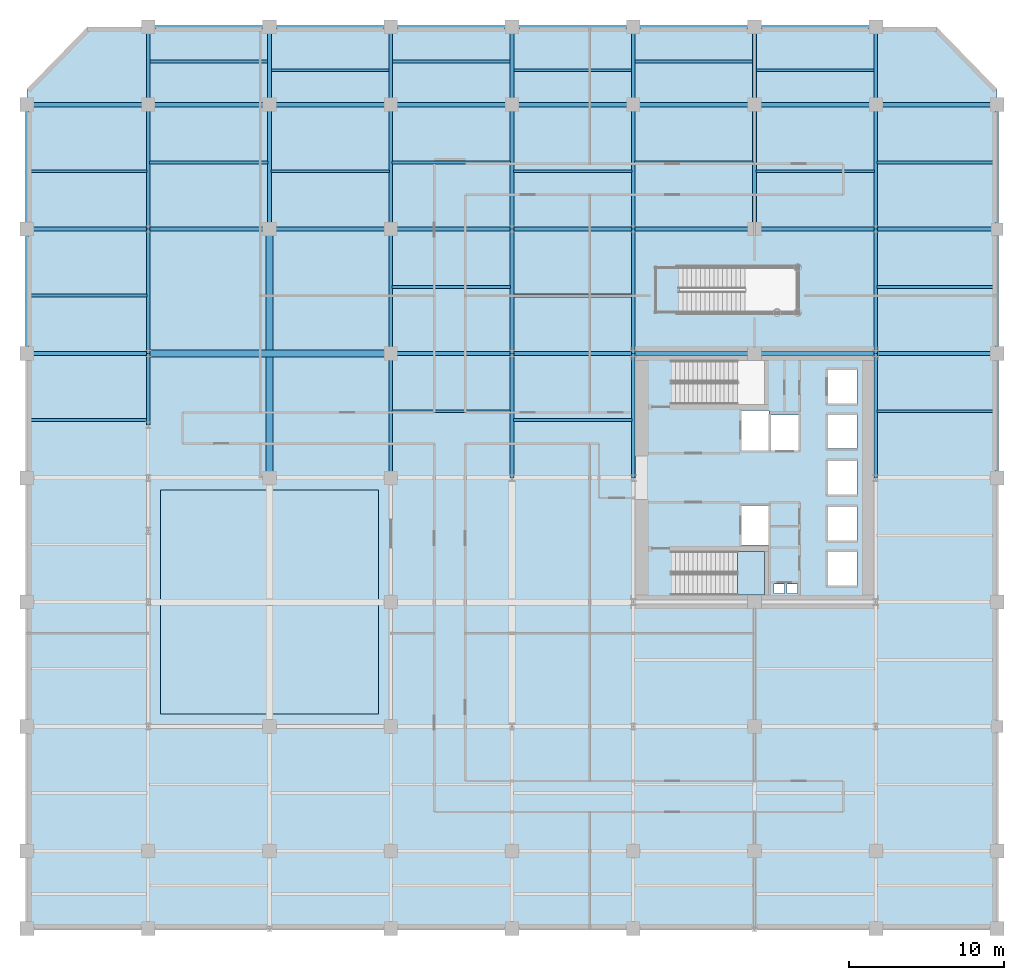
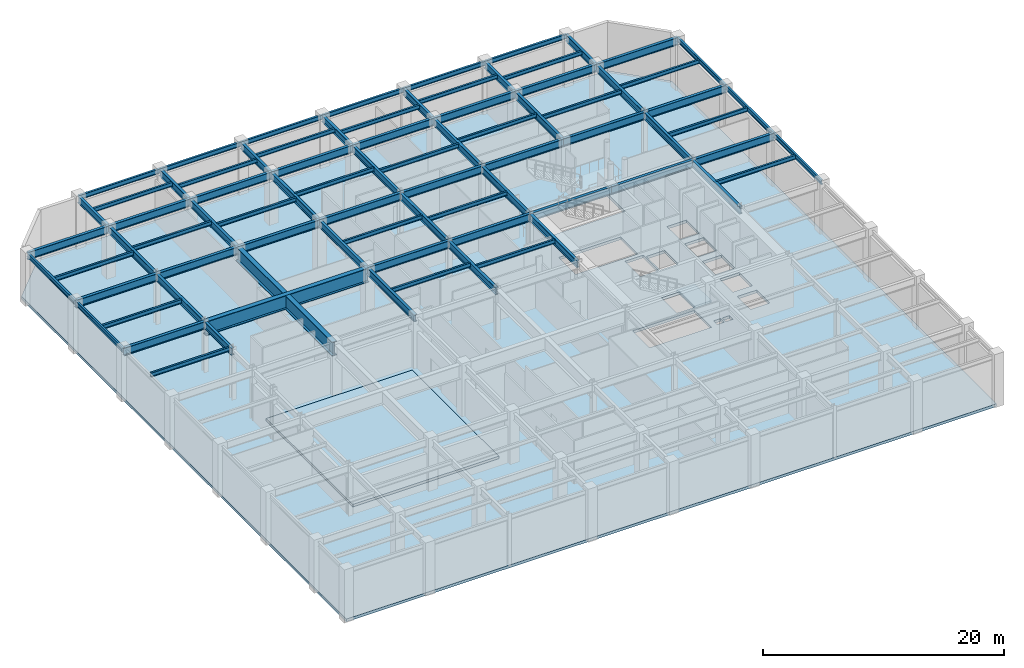
# One storey, part 6 of 11: 81 beams, 3 slabs, 1 element without a shape of its own.
"""IFC4 building model written with IfcOpenShell, lengths in metres."""

import ifcopenshell
import ifcopenshell.guid

model = None  # the IFC model being written
_history = None  # IfcOwnerHistory: only IFC2X3 demands one
_inside = {}  # id of a spatial element -> (the spatial element, [elements in it])
_under = {}  # id of a project, library or spatial element -> (it, [spatial elements below it])
_declared = {}  # id of a project -> (the project, [libraries it declares])
_typed = {}  # id of a type object -> (the type object, [elements of that type])
_made_of = {}  # id of a material, layer set ... -> (it, [elements and type objects made of it])


def new_model(schema):
    """Start an empty IFC model of exactly this schema.

    Asked for "IFC4X3", IfcOpenShell would pick the latest addendum, in which some entities
    have other attributes; the version numbers below select the first issue.
    IFC2X3 requires an IfcOwnerHistory on every rooted entity: one is made here for all.
    """
    global model, _history
    if schema == "IFC4X3":
        model = ifcopenshell.file(schema_version=(4, 3, 0, 0))
    else:
        model = ifcopenshell.file(schema=schema)
    _inside.clear()
    _under.clear()
    _declared.clear()
    _typed.clear()
    _made_of.clear()
    _history = None
    if model.schema == "IFC2X3":
        org = make("IfcOrganization", Name="unknown")
        user = make(
            "IfcPersonAndOrganization",
            ThePerson=make("IfcPerson", FamilyName="unknown"),
            TheOrganization=org,
        )
        app = make(
            "IfcApplication",
            ApplicationDeveloper=org,
            Version="unknown",
            ApplicationFullName="unknown",
            ApplicationIdentifier="unknown",
        )
        _history = make(
            "IfcOwnerHistory",
            OwningUser=user,
            OwningApplication=app,
            ChangeAction="ADDED",
            CreationDate=0,
        )
    return model


def make(cls, **values):
    """One entity of the class cls with the attributes given. An attribute that is None is left unset."""
    return model.create_entity(
        cls, **{name: value for name, value in values.items() if value is not None}
    )


def rooted(cls, **values):
    """An entity with a GlobalId (a new one), such as an element, a storey or a relation."""
    return make(cls, GlobalId=ifcopenshell.guid.new(), OwnerHistory=_history, **values)


def si_unit(unit_type, name, prefix=None):
    """IfcSIUnit, for example si_unit("LENGTHUNIT", "METRE", prefix="MILLI")."""
    return make("IfcSIUnit", UnitType=unit_type, Prefix=prefix, Name=name)


def assignment(units):
    """IfcUnitAssignment: the units of a project."""
    return None if units is None else make("IfcUnitAssignment", Units=units)


def point(xyz):
    """IfcCartesianPoint."""
    return None if xyz is None else make("IfcCartesianPoint", Coordinates=xyz)


def direction(xyz):
    """IfcDirection."""
    return None if xyz is None else make("IfcDirection", DirectionRatios=xyz)


def frame(location, z_axis=None, x_axis=None):
    """IfcAxis2Placement3D, a coordinate frame: its origin and axes. An axis left out is left unset."""
    return make(
        "IfcAxis2Placement3D",
        Location=point(location),
        Axis=direction(z_axis),
        RefDirection=direction(x_axis),
    )


def frame_2d(location, x_axis=None):
    """IfcAxis2Placement2D, a coordinate frame in the plane: its origin and x axis."""
    return make(
        "IfcAxis2Placement2D", Location=point(location), RefDirection=direction(x_axis)
    )


def origin():
    """The frame at (0, 0, 0) with its axes left unset."""
    return frame((0.0, 0.0, 0.0))


def origin_2d():
    """The frame at (0, 0) in the plane with its x axis left unset."""
    return frame_2d((0.0, 0.0))


def place(relative_to, where):
    """IfcLocalPlacement: puts the frame where relative to a parent placement (None: the world)."""
    return make(
        "IfcLocalPlacement", PlacementRelTo=relative_to, RelativePlacement=where
    )


def context(
    kind, dimensions, precision=None, world=None, true_north=None, identifier=None
):
    """IfcGeometricRepresentationContext, for example the 3D "Model" context."""
    return make(
        "IfcGeometricRepresentationContext",
        ContextIdentifier=identifier,
        ContextType=kind,
        CoordinateSpaceDimension=dimensions,
        Precision=precision,
        WorldCoordinateSystem=world,
        TrueNorth=true_north,
    )


def subcontext(parent, identifier, kind, view, scale=None):
    """IfcGeometricRepresentationSubContext, for example "Body" below "Model"."""
    return make(
        "IfcGeometricRepresentationSubContext",
        ContextIdentifier=identifier,
        ContextType=kind,
        ParentContext=parent,
        TargetScale=scale,
        TargetView=view,
    )


def project(units=None, contexts=None):
    """IfcProject with its units and contexts."""
    return rooted(
        "IfcProject",
        Name="project",
        RepresentationContexts=contexts,
        UnitsInContext=assignment(units),
    )


def spatial(cls, under=None, at=None, **own):
    """A site, building, storey or space (cls), placed at a placement, below another one or the project."""
    s = rooted(cls, ObjectPlacement=at, **own)
    if under is not None:
        _under.setdefault(under.id(), (under, []))[1].append(s)
    return s


def polyline(points):
    """IfcPolyline through the points."""
    return make("IfcPolyline", Points=[point(p) for p in points])


def profile(cls, at=None, kind="AREA", **sizes):
    """A parametric profile (cls). Its sizes go by their IFC names, for example OverallWidth=200.0."""
    return make(cls, ProfileType=kind, Position=at, **sizes)


def i_section(**sizes):
    """IfcIShapeProfileDef."""
    return profile("IfcIShapeProfileDef", **sizes)


def outline(outer, holes=None, kind="AREA"):
    """IfcArbitraryClosedProfileDef: a profile drawn as a closed curve; with holes, ...WithVoids."""
    if holes is None:
        return make("IfcArbitraryClosedProfileDef", ProfileType=kind, OuterCurve=outer)
    return make(
        "IfcArbitraryProfileDefWithVoids",
        ProfileType=kind,
        OuterCurve=outer,
        InnerCurves=holes,
    )


def extrude(swept, where, along, depth):
    """IfcExtrudedAreaSolid: the profile swept, set in the frame where, extruded along a direction by depth."""
    return make(
        "IfcExtrudedAreaSolid",
        SweptArea=swept,
        Position=where,
        ExtrudedDirection=direction(along),
        Depth=depth,
    )


def shape(context_of_items, identifier, shape_type, items):
    """IfcShapeRepresentation: the items that make up one representation, for example the "Body"."""
    return make(
        "IfcShapeRepresentation",
        ContextOfItems=context_of_items,
        RepresentationIdentifier=identifier,
        RepresentationType=shape_type,
        Items=items,
    )


def material(Name=None, Category=None):
    """IfcMaterial."""
    return make("IfcMaterial", Name=Name, Category=Category)


def layer(
    of_material, thickness, ventilated=None, Name=None, Category=None, Priority=None
):
    """IfcMaterialLayer: one layer of a wall or slab, of a material (None: an air gap)."""
    return make(
        "IfcMaterialLayer",
        Material=of_material,
        LayerThickness=thickness,
        IsVentilated=ventilated,
        Name=Name,
        Category=Category,
        Priority=Priority,
    )


def layer_set(layers, Name=None):
    """IfcMaterialLayerSet."""
    return make("IfcMaterialLayerSet", MaterialLayers=layers, LayerSetName=Name)


def material_profile(
    of_material, cross_section, Name=None, Category=None, Priority=None
):
    """IfcMaterialProfile: a cross section and its material."""
    return make(
        "IfcMaterialProfile",
        Name=Name,
        Material=of_material,
        Profile=cross_section,
        Priority=Priority,
        Category=Category,
    )


def profile_set(profiles, Name=None, composite=None):
    """IfcMaterialProfileSet."""
    return make(
        "IfcMaterialProfileSet",
        Name=Name,
        MaterialProfiles=profiles,
        CompositeProfile=composite,
    )


def made_of(thing, what):
    """Note that an element or type object is made of a material, layer set ...; save() writes the relation."""
    if what is not None:
        _made_of.setdefault(what.id(), (what, []))[1].append(thing)
    return thing


def type_object(cls, material=None, **own):
    """A type object (cls), such as IfcWallType, which elements share."""
    return made_of(rooted(cls, **own), material)


def element(
    cls,
    number,
    at=None,
    inside=None,
    cuts=None,
    type_object=None,
    material=None,
    context=None,
    identifier="Body",
    shape_type=None,
    held_by="IfcProductDefinitionShape",
    body=None,
    shapes=None,
    **own,
):
    """One element of the class cls, such as IfcWall. Its Tag is "e" and its number.

    at: its placement. inside: the storey or other place that contains it. cuts: it is an
    opening in that element (IfcRelVoidsElement). A single representation is given by context,
    identifier, shape_type and body (its items); several are given by shapes. held_by: the class
    of the entity that holds the representations. save() writes the other relations.
    """
    e = rooted(cls, Tag="e%d" % number, ObjectPlacement=at, **own)
    if body is not None:
        shapes = [shape(context, identifier, shape_type, body)]
    if shapes is not None:
        e.Representation = make(held_by, Representations=shapes)
    if inside is not None:
        _inside.setdefault(inside.id(), (inside, []))[1].append(e)
    if cuts is not None:
        rooted(
            "IfcRelVoidsElement", RelatingBuildingElement=cuts, RelatedOpeningElement=e
        )
    if type_object is not None:
        _typed.setdefault(type_object.id(), (type_object, []))[1].append(e)
    return made_of(e, material)


def aggregate(whole, parts):
    """IfcRelAggregates: a whole, such as a stair, and the parts it consists of."""
    return rooted("IfcRelAggregates", RelatingObject=whole, RelatedObjects=parts)


def save(model, path):
    """Write the relations noted so far, then the file.

    IfcRelAggregates (storeys below a building ...), IfcRelContainedInSpatialStructure (elements
    in a storey), IfcRelDefinesByType, IfcRelAssociatesMaterial and IfcRelDeclares: one each for
    every whole, place, type object, material and project.
    """
    for whole, parts in _under.values():
        aggregate(whole, parts)
    for where, things in _inside.values():
        rooted(
            "IfcRelContainedInSpatialStructure",
            RelatedElements=things,
            RelatingStructure=where,
        )
    for kind, things in _typed.values():
        rooted("IfcRelDefinesByType", RelatedObjects=things, RelatingType=kind)
    for what, things in _made_of.values():
        rooted("IfcRelAssociatesMaterial", RelatedObjects=things, RelatingMaterial=what)
    for by, libraries in _declared.values():
        rooted("IfcRelDeclares", RelatingContext=by, RelatedDefinitions=libraries)
    model.write(path)


model = new_model("IFC4")

# Units and contexts
model_context = context("Model", 3, precision=1e-05, world=origin(), true_north=direction((0.0, 1.0)))
body_context = subcontext(model_context, "Body", "Model", "MODEL_VIEW")
ifc_project = project(units=[si_unit("LENGTHUNIT", "METRE"), si_unit("AREAUNIT", "SQUARE_METRE"), si_unit("VOLUMEUNIT", "CUBIC_METRE"), si_unit("PLANEANGLEUNIT", "RADIAN"), si_unit("MASSUNIT", "GRAM", prefix="KILO")], contexts=[model_context])

# Site, building, storey
site_placement = place(None, origin())
site = spatial("IfcSite", under=ifc_project, at=site_placement, CompositionType="ELEMENT")
building_placement = place(site_placement, origin())
building = spatial("IfcBuilding", under=site, at=building_placement, Name="Veymaron Broadcast Tower", CompositionType="ELEMENT")
storey_placement = place(building_placement, frame((0.0, 0.0, 16.199951171875)))
storey = spatial("IfcBuildingStorey", under=building, at=storey_placement, Name="L03", CompositionType="ELEMENT", Elevation=16.199951171875)

# Beams
ifc_material_1 = material(Name="Structural steel ASTM A992 Gr 50", Category="steel")
ifc_material_profile_1 = material_profile(ifc_material_1, i_section(OverallWidth=0.177978515625, OverallDepth=0.406982421875, WebThickness=0.0078125, FlangeThickness=0.0126953125, at=origin_2d()), Name="W410X60")
ifc_profile_set_1 = profile_set([ifc_material_profile_1], Name="Structural steel ASTM A992 Gr 50")
beam_type_1 = type_object("IfcBeamType", Name="BM-JS1", PredefinedType="JOIST", material=ifc_profile_set_1)
for number, where, z_axis, x_axis, name in (
    (1, (0.0849609375, 27.719970703125, 4.91650390625), (1.0, 0.0, 0.0), (0.0, 1.0, 0.0), "L03 podium secondary floor joist"),
    (2, (0.0849609375, 35.719970703125, 4.91650390625), (1.0, 0.0, 0.0), (0.0, 1.0, 0.0), "L03 podium secondary floor joist"),
    (3, (0.0849609375, 43.719970703125, 4.91650390625), (1.0, 0.0, 0.0), (0.0, 1.0, 0.0), "L03 podium secondary floor joist"),
):
    element("IfcBeam", number, at=place(storey_placement, frame(where, z_axis=z_axis, x_axis=x_axis)), inside=storey, type_object=beam_type_1, Name=name, PredefinedType="JOIST", context=body_context, shape_type="SweptSolid", body=[
        extrude(i_section(OverallWidth=0.177978515625, OverallDepth=0.406982421875, WebThickness=0.0078125, FlangeThickness=0.0126953125, at=origin_2d()), origin(), (0.0, 0.0, 1.0), 7.630126953125),
    ])
for number, where, z_axis, x_axis, name in (
    (4, (7.885009765625, 44.280029296875, 4.91650390625), (1.0, 0.0, 0.0), (0.0, 1.0, 0.0), "L03 podium secondary floor joist"),
    (5, (7.885009765625, 50.780029296875, 4.91650390625), (1.0, 0.0, 0.0), (0.0, 1.0, 0.0), "L03 podium secondary floor joist"),
    (6, (15.68505859375, 43.719970703125, 4.91650390625), (1.0, 0.0, 0.0), (0.0, 1.0, 0.0), "L03 podium secondary floor joist"),
    (7, (15.68505859375, 50.219970703125, 4.91650390625), (1.0, 0.0, 0.0), (0.0, 1.0, 0.0), "L03 podium secondary floor joist"),
    (8, (23.485107421875, 28.280029296875, 4.91650390625), (1.0, 0.0, 0.0), (0.0, 1.0, 0.0), "L03 podium secondary floor joist"),
    (9, (23.485107421875, 36.280029296875, 4.91650390625), (1.0, 0.0, 0.0), (0.0, 1.0, 0.0), "L03 podium secondary floor joist"),
    (10, (23.485107421875, 44.280029296875, 4.91650390625), (1.0, 0.0, 0.0), (0.0, 1.0, 0.0), "L03 podium secondary floor joist"),
    (11, (23.485107421875, 50.780029296875, 4.91650390625), (1.0, 0.0, 0.0), (0.0, 1.0, 0.0), "L03 podium secondary floor joist"),
):
    element("IfcBeam", number, at=place(storey_placement, frame(where, z_axis=z_axis, x_axis=x_axis)), inside=storey, type_object=beam_type_1, Name=name, PredefinedType="JOIST", context=body_context, shape_type="SweptSolid", body=[
        extrude(i_section(OverallWidth=0.177978515625, OverallDepth=0.406982421875, WebThickness=0.0078125, FlangeThickness=0.0126953125, at=origin_2d()), origin(), (0.0, 0.0, 1.0), 7.6298828125),
    ])
for number, where, z_axis, x_axis, name in (
    (12, (31.284912109375, 27.719970703125, 4.91650390625), (1.0, 0.0, 0.0), (0.0, 1.0, 0.0), "L03 podium secondary floor joist"),
    (13, (31.284912109375, 35.719970703125, 4.91650390625), (1.0, 0.0, 0.0), (0.0, 1.0, 0.0), "L03 podium secondary floor joist"),
    (14, (31.284912109375, 43.719970703125, 4.91650390625), (1.0, 0.0, 0.0), (0.0, 1.0, 0.0), "L03 podium secondary floor joist"),
    (15, (31.284912109375, 50.219970703125, 4.91650390625), (1.0, 0.0, 0.0), (0.0, 1.0, 0.0), "L03 podium secondary floor joist"),
    (16, (39.0849609375, 44.280029296875, 4.91650390625), (1.0, 0.0, 0.0), (0.0, 1.0, 0.0), "L03 podium secondary floor joist"),
    (17, (39.0849609375, 50.780029296875, 4.91650390625), (1.0, 0.0, 0.0), (0.0, 1.0, 0.0), "L03 podium secondary floor joist"),
):
    element("IfcBeam", number, at=place(storey_placement, frame(where, z_axis=z_axis, x_axis=x_axis)), inside=storey, type_object=beam_type_1, Name=name, PredefinedType="JOIST", context=body_context, shape_type="SweptSolid", body=[
        extrude(i_section(OverallWidth=0.177978515625, OverallDepth=0.406982421875, WebThickness=0.0078125, FlangeThickness=0.0126953125, at=origin_2d()), origin(), (0.0, 0.0, 1.0), 7.630126953125),
    ])
for number, where, z_axis, x_axis, name in (
    (18, (46.885009765625, 43.719970703125, 4.91650390625), (1.0, 0.0, 0.0), (0.0, 1.0, 0.0), "L03 podium secondary floor joist"),
    (19, (46.885009765625, 50.219970703125, 4.91650390625), (1.0, 0.0, 0.0), (0.0, 1.0, 0.0), "L03 podium secondary floor joist"),
    (20, (54.68505859375, 28.280029296875, 4.91650390625), (1.0, 0.0, 0.0), (0.0, 1.0, 0.0), "L03 podium secondary floor joist"),
    (21, (54.68505859375, 36.280029296875, 4.91650390625), (1.0, 0.0, 0.0), (0.0, 1.0, 0.0), "L03 podium secondary floor joist"),
    (22, (54.68505859375, 44.280029296875, 4.91650390625), (1.0, 0.0, 0.0), (0.0, 1.0, 0.0), "L03 podium secondary floor joist"),
):
    element("IfcBeam", number, at=place(storey_placement, frame(where, z_axis=z_axis, x_axis=x_axis)), inside=storey, type_object=beam_type_1, Name=name, PredefinedType="JOIST", context=body_context, shape_type="SweptSolid", body=[
        extrude(i_section(OverallWidth=0.177978515625, OverallDepth=0.406982421875, WebThickness=0.0078125, FlangeThickness=0.0126953125, at=origin_2d()), origin(), (0.0, 0.0, 1.0), 7.6298828125),
    ])
ifc_material_profile_2 = material_profile(ifc_material_1, i_section(OverallWidth=0.26806640625, OverallDepth=0.77001953125, WebThickness=0.015625, FlangeThickness=0.025390625, at=origin_2d()), Name="W760X196")
ifc_profile_set_2 = profile_set([ifc_material_profile_2], Name="Structural steel ASTM A992 Gr 50")
beam_type_2 = type_object("IfcBeamType", Name="BM-PG1", PredefinedType="BEAM", material=ifc_profile_set_2)
for number, where, z_axis, x_axis, name in (
    (23, (0.0, 32.0, 4.735107421875), (1.0, 0.0, 0.0), (0.0, 1.0, 0.0), "L03 podium primary X-girder"),
    (24, (23.39990234375, 32.0, 4.735107421875), (1.0, 0.0, 0.0), (0.0, 1.0, 0.0), "L03 podium primary X-girder"),
    (25, (31.199951171875, 32.0, 4.735107421875), (1.0, 0.0, 0.0), (0.0, 1.0, 0.0), "L03 podium primary X-girder"),
    (26, (39.0, 32.0, 4.735107421875), (1.0, 0.0, 0.0), (0.0, 1.0, 0.0), "L03 podium primary X-girder"),
    (27, (46.800048828125, 32.0, 4.735107421875), (1.0, 0.0, 0.0), (0.0, 1.0, 0.0), "L03 podium primary X-girder"),
):
    element("IfcBeam", number, at=place(storey_placement, frame(where, z_axis=z_axis, x_axis=x_axis)), inside=storey, type_object=beam_type_2, Name=name, PredefinedType="BEAM", context=body_context, shape_type="SweptSolid", body=[
        extrude(i_section(OverallWidth=0.26806640625, OverallDepth=0.77001953125, WebThickness=0.015625, FlangeThickness=0.025390625, at=origin_2d()), origin(), (0.0, 0.0, 1.0), 7.800048828125),
    ])
beam_1_placement = place(storey_placement, frame((54.60009765625, 32.0, 4.735107421875), z_axis=(1.0, 0.0, 0.0), x_axis=(0.0, 1.0, 0.0)))
element("IfcBeam", 28, at=beam_1_placement, inside=storey, type_object=beam_type_2, Name="L03 podium primary X-girder", PredefinedType="BEAM", context=body_context, shape_type="SweptSolid", body=[
    extrude(i_section(OverallWidth=0.26806640625, OverallDepth=0.77001953125, WebThickness=0.015625, FlangeThickness=0.025390625, at=origin_2d()), origin(), (0.0, 0.0, 1.0), 7.7998046875),
])
for number, where, z_axis, x_axis, name in (
    (29, (0.0, 40.0, 4.735107421875), (1.0, 0.0, 0.0), (0.0, 1.0, 0.0), "L03 podium primary X-girder"),
    (30, (7.800048828125, 40.0, 4.735107421875), (1.0, 0.0, 0.0), (0.0, 1.0, 0.0), "L03 podium primary X-girder"),
):
    element("IfcBeam", number, at=place(storey_placement, frame(where, z_axis=z_axis, x_axis=x_axis)), inside=storey, type_object=beam_type_2, Name=name, PredefinedType="BEAM", context=body_context, shape_type="SweptSolid", body=[
        extrude(i_section(OverallWidth=0.26806640625, OverallDepth=0.77001953125, WebThickness=0.015625, FlangeThickness=0.025390625, at=origin_2d()), origin(), (0.0, 0.0, 1.0), 7.800048828125),
    ])
beam_2_placement = place(storey_placement, frame((15.60009765625, 40.0, 4.735107421875), z_axis=(1.0, 0.0, 0.0), x_axis=(0.0, 1.0, 0.0)))
element("IfcBeam", 31, at=beam_2_placement, inside=storey, type_object=beam_type_2, Name="L03 podium primary X-girder", PredefinedType="BEAM", context=body_context, shape_type="SweptSolid", body=[
    extrude(i_section(OverallWidth=0.26806640625, OverallDepth=0.77001953125, WebThickness=0.015625, FlangeThickness=0.025390625, at=origin_2d()), origin(), (0.0, 0.0, 1.0), 7.7998046875),
])
for number, where, z_axis, x_axis, name in (
    (32, (23.39990234375, 40.0, 4.735107421875), (1.0, 0.0, 0.0), (0.0, 1.0, 0.0), "L03 podium primary X-girder"),
    (33, (31.199951171875, 40.0, 4.735107421875), (1.0, 0.0, 0.0), (0.0, 1.0, 0.0), "L03 podium primary X-girder"),
    (34, (39.0, 40.0, 4.735107421875), (1.0, 0.0, 0.0), (0.0, 1.0, 0.0), "L03 podium primary X-girder"),
    (35, (46.800048828125, 40.0, 4.735107421875), (1.0, 0.0, 0.0), (0.0, 1.0, 0.0), "L03 podium primary X-girder"),
):
    element("IfcBeam", number, at=place(storey_placement, frame(where, z_axis=z_axis, x_axis=x_axis)), inside=storey, type_object=beam_type_2, Name=name, PredefinedType="BEAM", context=body_context, shape_type="SweptSolid", body=[
        extrude(i_section(OverallWidth=0.26806640625, OverallDepth=0.77001953125, WebThickness=0.015625, FlangeThickness=0.025390625, at=origin_2d()), origin(), (0.0, 0.0, 1.0), 7.800048828125),
    ])
beam_3_placement = place(storey_placement, frame((54.60009765625, 40.0, 4.735107421875), z_axis=(1.0, 0.0, 0.0), x_axis=(0.0, 1.0, 0.0)))
element("IfcBeam", 36, at=beam_3_placement, inside=storey, type_object=beam_type_2, Name="L03 podium primary X-girder", PredefinedType="BEAM", context=body_context, shape_type="SweptSolid", body=[
    extrude(i_section(OverallWidth=0.26806640625, OverallDepth=0.77001953125, WebThickness=0.015625, FlangeThickness=0.025390625, at=origin_2d()), origin(), (0.0, 0.0, 1.0), 7.7998046875),
])
for number, where, z_axis, x_axis, name in (
    (37, (0.0, 48.0, 4.735107421875), (1.0, 0.0, 0.0), (0.0, 1.0, 0.0), "L03 podium primary X-girder"),
    (38, (7.800048828125, 48.0, 4.735107421875), (1.0, 0.0, 0.0), (0.0, 1.0, 0.0), "L03 podium primary X-girder"),
):
    element("IfcBeam", number, at=place(storey_placement, frame(where, z_axis=z_axis, x_axis=x_axis)), inside=storey, type_object=beam_type_2, Name=name, PredefinedType="BEAM", context=body_context, shape_type="SweptSolid", body=[
        extrude(i_section(OverallWidth=0.26806640625, OverallDepth=0.77001953125, WebThickness=0.015625, FlangeThickness=0.025390625, at=origin_2d()), origin(), (0.0, 0.0, 1.0), 7.800048828125),
    ])
beam_4_placement = place(storey_placement, frame((15.60009765625, 48.0, 4.735107421875), z_axis=(1.0, 0.0, 0.0), x_axis=(0.0, 1.0, 0.0)))
element("IfcBeam", 39, at=beam_4_placement, inside=storey, type_object=beam_type_2, Name="L03 podium primary X-girder", PredefinedType="BEAM", context=body_context, shape_type="SweptSolid", body=[
    extrude(i_section(OverallWidth=0.26806640625, OverallDepth=0.77001953125, WebThickness=0.015625, FlangeThickness=0.025390625, at=origin_2d()), origin(), (0.0, 0.0, 1.0), 7.7998046875),
])
for number, where, z_axis, x_axis, name in (
    (40, (23.39990234375, 48.0, 4.735107421875), (1.0, 0.0, 0.0), (0.0, 1.0, 0.0), "L03 podium primary X-girder"),
    (41, (31.199951171875, 48.0, 4.735107421875), (1.0, 0.0, 0.0), (0.0, 1.0, 0.0), "L03 podium primary X-girder"),
    (42, (39.0, 48.0, 4.735107421875), (1.0, 0.0, 0.0), (0.0, 1.0, 0.0), "L03 podium primary X-girder"),
    (43, (46.800048828125, 48.0, 4.735107421875), (1.0, 0.0, 0.0), (0.0, 1.0, 0.0), "L03 podium primary X-girder"),
):
    element("IfcBeam", number, at=place(storey_placement, frame(where, z_axis=z_axis, x_axis=x_axis)), inside=storey, type_object=beam_type_2, Name=name, PredefinedType="BEAM", context=body_context, shape_type="SweptSolid", body=[
        extrude(i_section(OverallWidth=0.26806640625, OverallDepth=0.77001953125, WebThickness=0.015625, FlangeThickness=0.025390625, at=origin_2d()), origin(), (0.0, 0.0, 1.0), 7.800048828125),
    ])
beam_5_placement = place(storey_placement, frame((54.60009765625, 48.0, 4.735107421875), z_axis=(1.0, 0.0, 0.0), x_axis=(0.0, 1.0, 0.0)))
element("IfcBeam", 44, at=beam_5_placement, inside=storey, type_object=beam_type_2, Name="L03 podium primary X-girder", PredefinedType="BEAM", context=body_context, shape_type="SweptSolid", body=[
    extrude(i_section(OverallWidth=0.26806640625, OverallDepth=0.77001953125, WebThickness=0.015625, FlangeThickness=0.025390625, at=origin_2d()), origin(), (0.0, 0.0, 1.0), 7.7998046875),
])
ifc_material_profile_3 = material_profile(ifc_material_1, i_section(OverallWidth=0.256103515625, OverallDepth=0.693115234375, WebThickness=0.014404296875, FlangeThickness=0.023681640625, at=origin_2d()), Name="W690X170")
ifc_profile_set_3 = profile_set([ifc_material_profile_3], Name="Structural steel ASTM A992 Gr 50")
beam_type_3 = type_object("IfcBeamType", Name="BM-PG2", PredefinedType="BEAM", material=ifc_profile_set_3)
beam_6_placement = place(storey_placement, frame((7.800048828125, 27.39990234375, 4.7734375), z_axis=(0.0, 1.0, 0.0), x_axis=(-1.0, 0.0, 0.0)))
element("IfcBeam", 45, at=beam_6_placement, inside=storey, type_object=beam_type_3, Name="L03 podium primary Y-girder", PredefinedType="BEAM", context=body_context, shape_type="SweptSolid", body=[
    extrude(i_section(OverallWidth=0.256103515625, OverallDepth=0.693115234375, WebThickness=0.014404296875, FlangeThickness=0.023681640625, at=origin_2d()), origin(), (0.0, 0.0, 1.0), 4.60009765625),
])
for number, where, z_axis, x_axis, name in (
    (46, (7.800048828125, 32.0, 4.7734375), (0.0, 1.0, 0.0), (-1.0, 0.0, 0.0), "L03 podium primary Y-girder"),
    (47, (7.800048828125, 40.0, 4.7734375), (0.0, 1.0, 0.0), (-1.0, 0.0, 0.0), "L03 podium primary Y-girder"),
):
    element("IfcBeam", number, at=place(storey_placement, frame(where, z_axis=z_axis, x_axis=x_axis)), inside=storey, type_object=beam_type_3, Name=name, PredefinedType="BEAM", context=body_context, shape_type="SweptSolid", body=[
        extrude(i_section(OverallWidth=0.256103515625, OverallDepth=0.693115234375, WebThickness=0.014404296875, FlangeThickness=0.023681640625, at=origin_2d()), origin(), (0.0, 0.0, 1.0), 8.0),
    ])
beam_7_placement = place(storey_placement, frame((7.800048828125, 48.0, 4.7734375), z_axis=(0.0, 1.0, 0.0), x_axis=(-1.0, 0.0, 0.0)))
element("IfcBeam", 48, at=beam_7_placement, inside=storey, type_object=beam_type_3, Name="L03 podium primary Y-girder", PredefinedType="BEAM", context=body_context, shape_type="SweptSolid", body=[
    extrude(i_section(OverallWidth=0.256103515625, OverallDepth=0.693115234375, WebThickness=0.014404296875, FlangeThickness=0.023681640625, at=origin_2d()), origin(), (0.0, 0.0, 1.0), 5.0),
])
beam_8_placement = place(storey_placement, frame((15.60009765625, 40.0, 4.7734375), z_axis=(0.0, 1.0, 0.0), x_axis=(-1.0, 0.0, 0.0)))
element("IfcBeam", 49, at=beam_8_placement, inside=storey, type_object=beam_type_3, Name="L03 podium primary Y-girder", PredefinedType="BEAM", context=body_context, shape_type="SweptSolid", body=[
    extrude(i_section(OverallWidth=0.256103515625, OverallDepth=0.693115234375, WebThickness=0.014404296875, FlangeThickness=0.023681640625, at=origin_2d()), origin(), (0.0, 0.0, 1.0), 8.0),
])
beam_9_placement = place(storey_placement, frame((15.60009765625, 48.0, 4.7734375), z_axis=(0.0, 1.0, 0.0), x_axis=(-1.0, 0.0, 0.0)))
element("IfcBeam", 50, at=beam_9_placement, inside=storey, type_object=beam_type_3, Name="L03 podium primary Y-girder", PredefinedType="BEAM", context=body_context, shape_type="SweptSolid", body=[
    extrude(i_section(OverallWidth=0.256103515625, OverallDepth=0.693115234375, WebThickness=0.014404296875, FlangeThickness=0.023681640625, at=origin_2d()), origin(), (0.0, 0.0, 1.0), 5.0),
])
for number, where, z_axis, x_axis, name in (
    (51, (23.39990234375, 24.0, 4.7734375), (0.0, 1.0, 0.0), (-1.0, 0.0, 0.0), "L03 podium primary Y-girder"),
    (52, (23.39990234375, 32.0, 4.7734375), (0.0, 1.0, 0.0), (-1.0, 0.0, 0.0), "L03 podium primary Y-girder"),
    (53, (23.39990234375, 40.0, 4.7734375), (0.0, 1.0, 0.0), (-1.0, 0.0, 0.0), "L03 podium primary Y-girder"),
):
    element("IfcBeam", number, at=place(storey_placement, frame(where, z_axis=z_axis, x_axis=x_axis)), inside=storey, type_object=beam_type_3, Name=name, PredefinedType="BEAM", context=body_context, shape_type="SweptSolid", body=[
        extrude(i_section(OverallWidth=0.256103515625, OverallDepth=0.693115234375, WebThickness=0.014404296875, FlangeThickness=0.023681640625, at=origin_2d()), origin(), (0.0, 0.0, 1.0), 8.0),
    ])
beam_10_placement = place(storey_placement, frame((23.39990234375, 48.0, 4.7734375), z_axis=(0.0, 1.0, 0.0), x_axis=(-1.0, 0.0, 0.0)))
element("IfcBeam", 54, at=beam_10_placement, inside=storey, type_object=beam_type_3, Name="L03 podium primary Y-girder", PredefinedType="BEAM", context=body_context, shape_type="SweptSolid", body=[
    extrude(i_section(OverallWidth=0.256103515625, OverallDepth=0.693115234375, WebThickness=0.014404296875, FlangeThickness=0.023681640625, at=origin_2d()), origin(), (0.0, 0.0, 1.0), 5.0),
])
for number, where, z_axis, x_axis, name in (
    (55, (31.199951171875, 24.0, 4.7734375), (0.0, 1.0, 0.0), (-1.0, 0.0, 0.0), "L03 podium primary Y-girder"),
    (56, (31.199951171875, 32.0, 4.7734375), (0.0, 1.0, 0.0), (-1.0, 0.0, 0.0), "L03 podium primary Y-girder"),
    (57, (31.199951171875, 40.0, 4.7734375), (0.0, 1.0, 0.0), (-1.0, 0.0, 0.0), "L03 podium primary Y-girder"),
):
    element("IfcBeam", number, at=place(storey_placement, frame(where, z_axis=z_axis, x_axis=x_axis)), inside=storey, type_object=beam_type_3, Name=name, PredefinedType="BEAM", context=body_context, shape_type="SweptSolid", body=[
        extrude(i_section(OverallWidth=0.256103515625, OverallDepth=0.693115234375, WebThickness=0.014404296875, FlangeThickness=0.023681640625, at=origin_2d()), origin(), (0.0, 0.0, 1.0), 8.0),
    ])
beam_11_placement = place(storey_placement, frame((31.199951171875, 48.0, 4.7734375), z_axis=(0.0, 1.0, 0.0), x_axis=(-1.0, 0.0, 0.0)))
element("IfcBeam", 58, at=beam_11_placement, inside=storey, type_object=beam_type_3, Name="L03 podium primary Y-girder", PredefinedType="BEAM", context=body_context, shape_type="SweptSolid", body=[
    extrude(i_section(OverallWidth=0.256103515625, OverallDepth=0.693115234375, WebThickness=0.014404296875, FlangeThickness=0.023681640625, at=origin_2d()), origin(), (0.0, 0.0, 1.0), 5.0),
])
for number, where, z_axis, x_axis, name in (
    (59, (39.0, 24.0, 4.7734375), (0.0, 1.0, 0.0), (-1.0, 0.0, 0.0), "L03 podium primary Y-girder"),
    (60, (39.0, 32.0, 4.7734375), (0.0, 1.0, 0.0), (-1.0, 0.0, 0.0), "L03 podium primary Y-girder"),
    (61, (39.0, 40.0, 4.7734375), (0.0, 1.0, 0.0), (-1.0, 0.0, 0.0), "L03 podium primary Y-girder"),
):
    element("IfcBeam", number, at=place(storey_placement, frame(where, z_axis=z_axis, x_axis=x_axis)), inside=storey, type_object=beam_type_3, Name=name, PredefinedType="BEAM", context=body_context, shape_type="SweptSolid", body=[
        extrude(i_section(OverallWidth=0.256103515625, OverallDepth=0.693115234375, WebThickness=0.014404296875, FlangeThickness=0.023681640625, at=origin_2d()), origin(), (0.0, 0.0, 1.0), 8.0),
    ])
beam_12_placement = place(storey_placement, frame((39.0, 48.0, 4.7734375), z_axis=(0.0, 1.0, 0.0), x_axis=(-1.0, 0.0, 0.0)))
element("IfcBeam", 62, at=beam_12_placement, inside=storey, type_object=beam_type_3, Name="L03 podium primary Y-girder", PredefinedType="BEAM", context=body_context, shape_type="SweptSolid", body=[
    extrude(i_section(OverallWidth=0.256103515625, OverallDepth=0.693115234375, WebThickness=0.014404296875, FlangeThickness=0.023681640625, at=origin_2d()), origin(), (0.0, 0.0, 1.0), 5.0),
])
beam_13_placement = place(storey_placement, frame((46.800048828125, 40.0, 4.7734375), z_axis=(0.0, 1.0, 0.0), x_axis=(-1.0, 0.0, 0.0)))
element("IfcBeam", 63, at=beam_13_placement, inside=storey, type_object=beam_type_3, Name="L03 podium primary Y-girder", PredefinedType="BEAM", context=body_context, shape_type="SweptSolid", body=[
    extrude(i_section(OverallWidth=0.256103515625, OverallDepth=0.693115234375, WebThickness=0.014404296875, FlangeThickness=0.023681640625, at=origin_2d()), origin(), (0.0, 0.0, 1.0), 8.0),
])
beam_14_placement = place(storey_placement, frame((46.800048828125, 48.0, 4.7734375), z_axis=(0.0, 1.0, 0.0), x_axis=(-1.0, 0.0, 0.0)))
element("IfcBeam", 64, at=beam_14_placement, inside=storey, type_object=beam_type_3, Name="L03 podium primary Y-girder", PredefinedType="BEAM", context=body_context, shape_type="SweptSolid", body=[
    extrude(i_section(OverallWidth=0.256103515625, OverallDepth=0.693115234375, WebThickness=0.014404296875, FlangeThickness=0.023681640625, at=origin_2d()), origin(), (0.0, 0.0, 1.0), 5.0),
])
for number, where, z_axis, x_axis, name in (
    (65, (54.60009765625, 24.0, 4.7734375), (0.0, 1.0, 0.0), (-1.0, 0.0, 0.0), "L03 podium primary Y-girder"),
    (66, (54.60009765625, 32.0, 4.7734375), (0.0, 1.0, 0.0), (-1.0, 0.0, 0.0), "L03 podium primary Y-girder"),
    (67, (54.60009765625, 40.0, 4.7734375), (0.0, 1.0, 0.0), (-1.0, 0.0, 0.0), "L03 podium primary Y-girder"),
):
    element("IfcBeam", number, at=place(storey_placement, frame(where, z_axis=z_axis, x_axis=x_axis)), inside=storey, type_object=beam_type_3, Name=name, PredefinedType="BEAM", context=body_context, shape_type="SweptSolid", body=[
        extrude(i_section(OverallWidth=0.256103515625, OverallDepth=0.693115234375, WebThickness=0.014404296875, FlangeThickness=0.023681640625, at=origin_2d()), origin(), (0.0, 0.0, 1.0), 8.0),
    ])
beam_15_placement = place(storey_placement, frame((54.60009765625, 48.0, 4.7734375), z_axis=(0.0, 1.0, 0.0), x_axis=(-1.0, 0.0, 0.0)))
element("IfcBeam", 68, at=beam_15_placement, inside=storey, type_object=beam_type_3, Name="L03 podium primary Y-girder", PredefinedType="BEAM", context=body_context, shape_type="SweptSolid", body=[
    extrude(i_section(OverallWidth=0.256103515625, OverallDepth=0.693115234375, WebThickness=0.014404296875, FlangeThickness=0.023681640625, at=origin_2d()), origin(), (0.0, 0.0, 1.0), 5.0),
])
ifc_material_profile_4 = material_profile(ifc_material_1, i_section(OverallWidth=0.19091796875, OverallDepth=0.4599609375, WebThickness=0.010009765625, FlangeThickness=0.01611328125, at=origin_2d()), Name="W460X82")
ifc_profile_set_4 = profile_set([ifc_material_profile_4], Name="Structural steel ASTM A992 Gr 50")
beam_type_4 = type_object("IfcBeamType", Name="BM-SP1", PredefinedType="SPANDREL", material=ifc_profile_set_4)
beam_16_placement = place(storey_placement, frame((7.800048828125, 53.0, 4.89013671875), z_axis=(1.0, 0.0, 0.0), x_axis=(0.0, 1.0, 0.0)))
element("IfcBeam", 69, at=beam_16_placement, inside=storey, type_object=beam_type_4, Name="L03 podium primary X-girder", PredefinedType="SPANDREL", context=body_context, shape_type="SweptSolid", body=[
    extrude(i_section(OverallWidth=0.19091796875, OverallDepth=0.4599609375, WebThickness=0.010009765625, FlangeThickness=0.01611328125, at=origin_2d()), origin(), (0.0, 0.0, 1.0), 7.800048828125),
])
beam_17_placement = place(storey_placement, frame((15.60009765625, 53.0, 4.89013671875), z_axis=(1.0, 0.0, 0.0), x_axis=(0.0, 1.0, 0.0)))
element("IfcBeam", 70, at=beam_17_placement, inside=storey, type_object=beam_type_4, Name="L03 podium primary X-girder", PredefinedType="SPANDREL", context=body_context, shape_type="SweptSolid", body=[
    extrude(i_section(OverallWidth=0.19091796875, OverallDepth=0.4599609375, WebThickness=0.010009765625, FlangeThickness=0.01611328125, at=origin_2d()), origin(), (0.0, 0.0, 1.0), 7.7998046875),
])
for number, where, z_axis, x_axis, name in (
    (71, (23.39990234375, 53.0, 4.89013671875), (1.0, 0.0, 0.0), (0.0, 1.0, 0.0), "L03 podium primary X-girder"),
    (72, (31.199951171875, 53.0, 4.89013671875), (1.0, 0.0, 0.0), (0.0, 1.0, 0.0), "L03 podium primary X-girder"),
    (73, (39.0, 53.0, 4.89013671875), (1.0, 0.0, 0.0), (0.0, 1.0, 0.0), "L03 podium primary X-girder"),
    (74, (46.800048828125, 53.0, 4.89013671875), (1.0, 0.0, 0.0), (0.0, 1.0, 0.0), "L03 podium primary X-girder"),
):
    element("IfcBeam", number, at=place(storey_placement, frame(where, z_axis=z_axis, x_axis=x_axis)), inside=storey, type_object=beam_type_4, Name=name, PredefinedType="SPANDREL", context=body_context, shape_type="SweptSolid", body=[
        extrude(i_section(OverallWidth=0.19091796875, OverallDepth=0.4599609375, WebThickness=0.010009765625, FlangeThickness=0.01611328125, at=origin_2d()), origin(), (0.0, 0.0, 1.0), 7.800048828125),
    ])
for number, where, z_axis, x_axis, name in (
    (75, (0.0, 32.0, 4.89013671875), (0.0, 1.0, 0.0), (-1.0, 0.0, 0.0), "L03 podium primary Y-girder"),
    (76, (0.0, 40.0, 4.89013671875), (0.0, 1.0, 0.0), (-1.0, 0.0, 0.0), "L03 podium primary Y-girder"),
    (77, (62.39990234375, 24.0, 4.89013671875), (0.0, 1.0, 0.0), (-1.0, 0.0, 0.0), "L03 podium primary Y-girder"),
    (78, (62.39990234375, 32.0, 4.89013671875), (0.0, 1.0, 0.0), (-1.0, 0.0, 0.0), "L03 podium primary Y-girder"),
    (79, (62.39990234375, 40.0, 4.89013671875), (0.0, 1.0, 0.0), (-1.0, 0.0, 0.0), "L03 podium primary Y-girder"),
):
    element("IfcBeam", number, at=place(storey_placement, frame(where, z_axis=z_axis, x_axis=x_axis)), inside=storey, type_object=beam_type_4, Name=name, PredefinedType="SPANDREL", context=body_context, shape_type="SweptSolid", body=[
        extrude(i_section(OverallWidth=0.19091796875, OverallDepth=0.4599609375, WebThickness=0.010009765625, FlangeThickness=0.01611328125, at=origin_2d()), origin(), (0.0, 0.0, 1.0), 8.0),
    ])
ifc_material_2 = material(Name="Structural steel ASTM A913 Gr 65", Category="steel")
ifc_material_profile_5 = material_profile(ifc_material_2, i_section(OverallWidth=0.429931640625, OverallDepth=1.419921875, WebThickness=0.030029296875, FlangeThickness=0.050048828125, at=origin_2d()), Name="W1400X550")
ifc_profile_set_5 = profile_set([ifc_material_profile_5], Name="Structural steel ASTM A913 Gr 65")
beam_type_5 = type_object("IfcBeamType", Name="BM-TG0", PredefinedType="BEAM", material=ifc_profile_set_5)
beam_18_placement = place(storey_placement, frame((7.800048828125, 32.0, 4.41015625), z_axis=(1.0, 0.0, 0.0), x_axis=(0.0, 1.0, 0.0)))
element("IfcBeam", 80, at=beam_18_placement, inside=storey, type_object=beam_type_5, Name="L03 podium primary X-girder", PredefinedType="BEAM", context=body_context, shape_type="SweptSolid", body=[
    extrude(i_section(OverallWidth=0.429931640625, OverallDepth=1.419921875, WebThickness=0.030029296875, FlangeThickness=0.050048828125, at=origin_2d()), origin(), (0.0, 0.0, 1.0), 15.599853515625),
])
beam_19_placement = place(storey_placement, frame((15.60009765625, 24.0, 4.41015625), z_axis=(0.0, 1.0, 0.0), x_axis=(-1.0, 0.0, 0.0)))
element("IfcBeam", 81, at=beam_19_placement, inside=storey, type_object=beam_type_5, Name="L03 podium primary Y-girder", PredefinedType="BEAM", context=body_context, shape_type="SweptSolid", body=[
    extrude(i_section(OverallWidth=0.429931640625, OverallDepth=1.419921875, WebThickness=0.030029296875, FlangeThickness=0.050048828125, at=origin_2d()), origin(), (0.0, 0.0, 1.0), 16.0),
])

# Slabs
ifc_material_3 = material(Name="Concrete C40/50", Category="concrete")
ifc_layer_1 = layer(ifc_material_3, 0.280029296875)
ifc_layer_set_1 = layer_set([ifc_layer_1], Name="Concrete C40/50")
slab_type_1 = type_object("IfcSlabType", Name="SLAB-FS3", PredefinedType="FLOOR", material=ifc_layer_set_1)
slab_1_placement = place(storey_placement, frame((0.0, 0.0, -0.280029296875)))
element("IfcSlab", 82, at=slab_1_placement, inside=storey, type_object=slab_type_1, Name="L03 structural floor slab", PredefinedType="FLOOR", context=body_context, shape_type="SweptSolid", body=[
    extrude(outline(polyline([(0.0, -5.0), (62.39990234375, -5.0), (62.39990234375, 49.0), (58.5, 53.0), (3.89990234375, 53.0), (0.0, 49.0), (0.0, -5.0)]), holes=[polyline([(45.969970703125, 28.330078125), (47.72998046875, 28.330078125), (47.72998046875, 25.77001953125), (45.969970703125, 25.77001953125), (45.969970703125, 28.330078125)]), polyline([(45.969970703125, 22.22998046875), (47.72998046875, 22.22998046875), (47.72998046875, 19.669921875), (45.969970703125, 19.669921875), (45.969970703125, 22.22998046875)]), polyline([(47.8701171875, 28.030029296875), (49.6298828125, 28.030029296875), (49.6298828125, 25.77001953125), (47.8701171875, 25.77001953125), (47.8701171875, 28.030029296875)]), polyline([(51.52001953125, 30.929931640625), (53.3798828125, 30.929931640625), (53.3798828125, 28.77001953125), (51.52001953125, 28.77001953125), (51.52001953125, 30.929931640625)]), polyline([(51.52001953125, 28.030029296875), (53.3798828125, 28.030029296875), (53.3798828125, 25.8701171875), (51.52001953125, 25.8701171875), (51.52001953125, 28.030029296875)]), polyline([(51.52001953125, 22.1298828125), (53.3798828125, 22.1298828125), (53.3798828125, 19.969970703125), (51.52001953125, 19.969970703125), (51.52001953125, 22.1298828125)]), polyline([(51.52001953125, 25.080078125), (53.3798828125, 25.080078125), (53.3798828125, 22.919921875), (51.52001953125, 22.919921875), (51.52001953125, 25.080078125)]), polyline([(51.52001953125, 19.22998046875), (53.3798828125, 19.22998046875), (53.3798828125, 17.070068359375), (51.52001953125, 17.070068359375), (51.52001953125, 19.22998046875)]), polyline([(48.050048828125, 17.159912109375), (48.719970703125, 17.159912109375), (48.719970703125, 16.56005859375), (48.050048828125, 16.56005859375), (48.050048828125, 17.159912109375)]), polyline([(48.8798828125, 17.159912109375), (49.550048828125, 17.159912109375), (49.550048828125, 16.56005859375), (48.8798828125, 16.56005859375), (48.8798828125, 17.159912109375)]), polyline([(41.489990234375, 31.550048828125), (47.43994140625, 31.550048828125), (47.43994140625, 28.72998046875), (41.489990234375, 28.72998046875), (41.489990234375, 31.550048828125)]), polyline([(41.489990234375, 19.27001953125), (47.43994140625, 19.27001953125), (47.43994140625, 16.449951171875), (41.489990234375, 16.449951171875), (41.489990234375, 19.27001953125)]), polyline([(41.9599609375, 37.56005859375), (49.60009765625, 37.56005859375), (49.60009765625, 34.60009765625), (41.9599609375, 34.60009765625), (41.9599609375, 37.56005859375)])]), origin(), (0.0, 0.0, 1.0), 0.280029296875),
])
ifc_layer_2 = layer(ifc_material_3, 0.25)
ifc_layer_set_2 = layer_set([ifc_layer_2], Name="Concrete C40/50")
slab_type_2 = type_object("IfcSlabType", Name="SLAB-FS7", PredefinedType="FLOOR", material=ifc_layer_set_2)
slab_2_placement = place(storey_placement, origin())
element("IfcSlab", 83, at=slab_2_placement, inside=storey, type_object=slab_type_2, Name="L03 acoustic floating studio slab ST3", PredefinedType="FLOOR", context=body_context, shape_type="SweptSolid", body=[
    extrude(outline(polyline([(8.60009765625, 8.800048828125), (22.60009765625, 8.800048828125), (22.60009765625, 23.199951171875), (8.60009765625, 23.199951171875), (8.60009765625, 8.800048828125)])), origin(), (0.0, 0.0, 1.0), 0.25),
])

# Stair, slab
ifc_material_4 = material(Name="Concrete C50/60", Category="concrete")
stair_type = type_object("IfcStairType", Name="STAIR-CORE-2", PredefinedType="HALF_TURN_STAIR", material=ifc_material_4)
stair_placement = place(storey_placement, origin())
stair = element("IfcStair", 84, at=stair_placement, inside=storey, type_object=stair_type, Name="L03 South protected dog-leg exit stair ST2", PredefinedType="HALF_TURN_STAIR")
ifc_layer_3 = layer(ifc_material_4, 0.199951171875)
ifc_layer_set_3 = layer_set([ifc_layer_3], Name="Concrete C50/60")
slab_type_3 = type_object("IfcSlabType", Name="SLAB-STAIR-LDG", PredefinedType="LANDING", material=ifc_layer_set_3)
slab_3_placement = place(storey_placement, frame((0.0, 0.0, 2.5)))
slab_3 = element("IfcSlab", 85, at=slab_3_placement, type_object=slab_type_3, Name="ST2 landing 1", PredefinedType="LANDING", context=body_context, shape_type="SweptSolid", body=[
    extrude(outline(polyline([(45.705078125, 16.449951171875), (47.43994140625, 16.449951171875), (47.43994140625, 19.27001953125), (45.705078125, 19.27001953125), (45.705078125, 16.449951171875)])), origin(), (0.0, 0.0, 1.0), 0.199951171875),
])
aggregate(stair, [slab_3])

save(model, "model.ifc")
